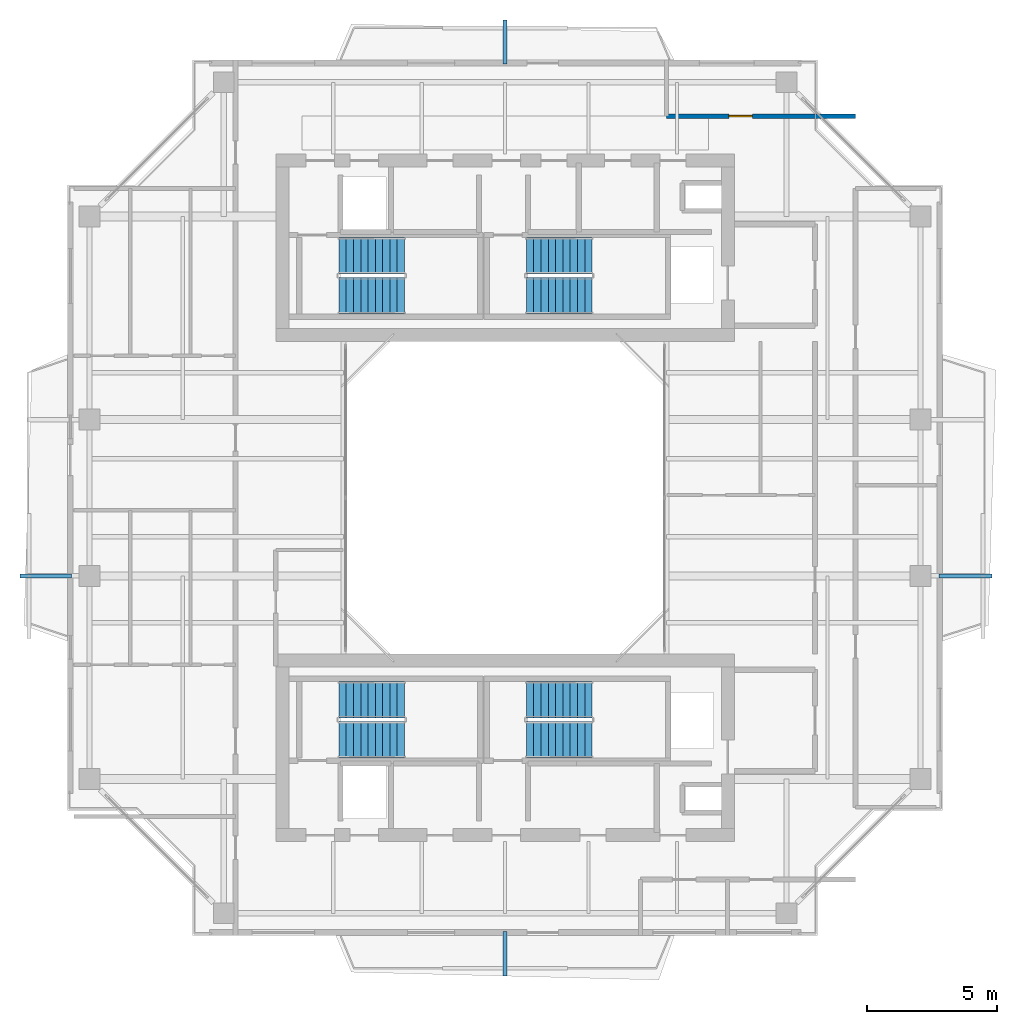
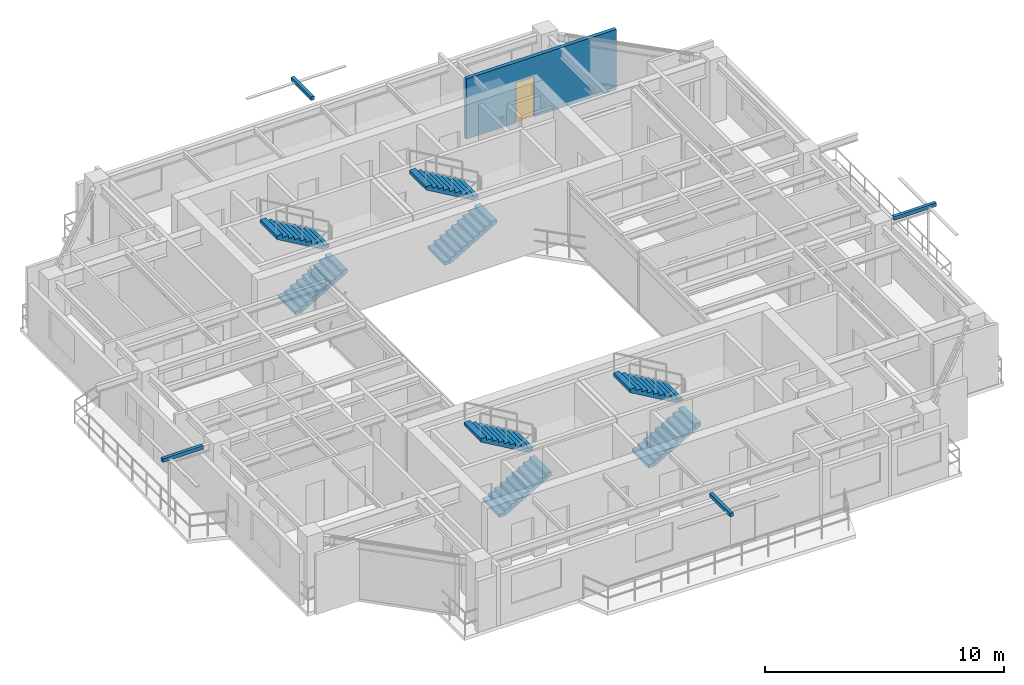
# One storey, part 13 of 16: 8 stair flights, 4 discrete accessories, 1 door, 1 wall, 1 opening, 4 elements without a shape of their own.
"""IFC4 building model written with IfcOpenShell, lengths in metres."""

from ifc_helpers import new_model, si_unit, direction, frame, frame_2d, origin, origin_2d, place, context, subcontext, project, spatial, polyline, rectangle, outline, extrude, source, transform, mapped, material, layer, layer_set, type_object, element, fill, aggregate, save


model = new_model("IFC4")

# Units and contexts
model_context = context("Model", 3, precision=1e-05, world=origin(), true_north=direction((0.0, 1.0)))
body_context = subcontext(model_context, "Body", "Model", "MODEL_VIEW")
ifc_project = project(units=[si_unit("LENGTHUNIT", "METRE"), si_unit("AREAUNIT", "SQUARE_METRE"), si_unit("VOLUMEUNIT", "CUBIC_METRE"), si_unit("PLANEANGLEUNIT", "RADIAN"), si_unit("MASSUNIT", "GRAM", prefix="KILO"), si_unit("THERMODYNAMICTEMPERATUREUNIT", "KELVIN"), si_unit("POWERUNIT", "WATT")], contexts=[model_context])

# Site, building, storey
site_placement = place(None, origin())
site = spatial("IfcSite", under=ifc_project, at=site_placement, CompositionType="ELEMENT")
building_placement = place(site_placement, origin())
building = spatial("IfcBuilding", under=site, at=building_placement, Name="Qiaomeng Ring Towers", CompositionType="ELEMENT")
storey_placement = place(building_placement, frame((0.0, 0.0, 197.0)))
storey = spatial("IfcBuildingStorey", under=building, at=storey_placement, Name="L57", CompositionType="ELEMENT", Elevation=197.0)

# Wall, opening, door
ifc_material_1 = material(Name="Autoclaved aerated concrete block", Category="concrete")
ifc_layer = layer(ifc_material_1, 0.179931640625, Name="Autoclaved aerated concrete block")
ifc_layer_set = layer_set([ifc_layer], Name="Autoclaved aerated concrete block")
wall_type = type_object("IfcWallType", Name="ARC-WL-PW2", PredefinedType="PARTITIONING", material=ifc_layer_set)
wall_placement = place(storey_placement, frame((25.199951171875, 37.64990234375, 0.0), z_axis=(0.0, 0.0, 1.0), x_axis=(1.0, 0.0, 0.0)))
wall = element("IfcWall", 1, at=wall_placement, inside=storey, type_object=wall_type, Name="L57 Interior Wall PW2", PredefinedType="PARTITIONING", context=body_context, shape_type="SweptSolid", body=[
    extrude(rectangle(XDim=7.25, YDim=0.179931640625, at=frame_2d((3.625, 0.0))), origin(), (0.0, 0.0, 1.0), 3.070068359375),
])
opening_placement = place(wall_placement, frame((2.389892578125, 0.0, 0.0)))
opening = element("IfcOpeningElement", 2, at=opening_placement, cuts=wall, Name="Opening ID1", PredefinedType="OPENING", context=body_context, shape_type="SweptSolid", body=[
    extrude(rectangle(XDim=0.89990234375, YDim=2.050048828125, at=frame_2d((0.449951171875, 1.02490234375))), frame((0.0, 0.099853515625, 0.0), z_axis=(0.0, -1.0, 0.0), x_axis=(1.0, 0.0, 0.0)), (0.0, 0.0, 1.0), 0.199951171875),
])
ifc_material_2 = material(Name="Engineered oak timber", Category="wood")
door_type = type_object("IfcDoorType", Name="ARC-DR-ID1", OperationType="NOTDEFINED", PredefinedType="DOOR", material=ifc_material_2)
shared_shape_1 = source(origin(), body_context, "Body", "SweptSolid", [
    extrude(rectangle(XDim=0.89990234375, YDim=2.050048828125, at=frame_2d((0.449951171875, 1.02490234375))), frame((0.0, 0.02490234375, 0.0), z_axis=(0.0, -1.0, 0.0), x_axis=(1.0, 0.0, 0.0)), (0.0, 0.0, 1.0), 0.050048828125),
])
door_placement = place(opening_placement, origin())
door = element("IfcDoor", 3, at=door_placement, inside=storey, type_object=door_type, Name="L57 Door ID1", OperationType="SINGLE_SWING_LEFT", OverallHeight=2.050048828125, OverallWidth=0.89990234375, PredefinedType="DOOR", context=body_context, shape_type="MappedRepresentation", body=[
    mapped(shared_shape_1, transform((0.0, 0.0, 0.0), x_axis=(1.0, 0.0, 0.0), y_axis=(0.0, 1.0, 0.0), z_axis=(0.0, 0.0, 1.0), scale=1.0)),
])
fill(opening, door)

# Stair, stair flights
ifc_material_3 = material(Name="Precast concrete C40", Category="concrete")
stair_type = type_object("IfcStairType", Name="ARC-ST-325", PredefinedType="HALF_TURN_STAIR", material=ifc_material_3)
stair_1_placement = place(storey_placement, origin())
stair_1 = element("IfcStair", 4, at=stair_1_placement, inside=storey, type_object=stair_type, Name="L57 Tower 1 North Stair 1", PredefinedType="HALF_TURN_STAIR")
stair_flight_type = type_object("IfcStairFlightType", Name="ARC-ST-325-FL", PredefinedType="STRAIGHT", material=ifc_material_3)
shared_shape_2 = source(origin(), body_context, "Body", "SweptSolid", [
    extrude(outline(polyline([(0.0, 0.0), (0.0, 0.16259765625), (0.280029296875, 0.16259765625), (0.280029296875, 0.324951171875), (0.56005859375, 0.324951171875), (0.56005859375, 0.487548828125), (0.840087890625, 0.487548828125), (0.840087890625, 0.64990234375), (1.1201171875, 0.64990234375), (1.1201171875, 0.8125), (1.39990234375, 0.8125), (1.39990234375, 0.97509765625), (1.679931640625, 0.97509765625), (1.679931640625, 1.137451171875), (1.9599609375, 1.137451171875), (1.9599609375, 1.300048828125), (2.239990234375, 1.300048828125), (2.239990234375, 1.46240234375), (2.52001953125, 1.46240234375), (2.52001953125, 1.625), (2.52001953125, 1.2890625), (0.298583984375, 0.0), (0.0, 0.0)])), frame((0.0, 0.699951171875, 0.0), z_axis=(0.0, -1.0, 0.0), x_axis=(1.0, 0.0, 0.0)), (0.0, 0.0, 1.0), 1.39990234375),
])
stair_flight_1_placement = place(storey_placement, frame((12.6201171875, 30.75, 0.0), z_axis=(0.0, 0.0, 1.0), x_axis=(1.0, 0.0, 0.0)))
stair_flight_1 = element("IfcStairFlight", 5, at=stair_flight_1_placement, type_object=stair_flight_type, Name="ST1 flight 1", NumberOfRisers=10, NumberOfTreads=9, PredefinedType="STRAIGHT", RiserHeight=0.1625, TreadLength=0.28, context=body_context, shape_type="MappedRepresentation", body=[
    mapped(shared_shape_2, transform((0.0, 0.0, 0.0), x_axis=(1.0, 0.0, 0.0), y_axis=(0.0, 1.0, 0.0), z_axis=(0.0, 0.0, 1.0), scale=1.0)),
])
stair_flight_2_placement = place(storey_placement, frame((15.139892578125, 32.2900390625, 1.625), z_axis=(0.0, 0.0, 1.0), x_axis=(-1.0, 0.0, 0.0)))
stair_flight_2 = element("IfcStairFlight", 6, at=stair_flight_2_placement, type_object=stair_flight_type, Name="ST1 flight 2", NumberOfRisers=10, NumberOfTreads=9, PredefinedType="STRAIGHT", RiserHeight=0.1625, TreadLength=0.28, context=body_context, shape_type="MappedRepresentation", body=[
    mapped(shared_shape_2, transform((0.0, 0.0, 0.0), x_axis=(1.0, 0.0, 0.0), y_axis=(0.0, 1.0, 0.0), z_axis=(0.0, 0.0, 1.0), scale=1.0)),
])
aggregate(stair_1, [stair_flight_1, stair_flight_2])

stair_2_placement = place(storey_placement, origin())
stair_2 = element("IfcStair", 7, at=stair_2_placement, inside=storey, type_object=stair_type, Name="L57 Tower 1 North Stair 2", PredefinedType="HALF_TURN_STAIR")
stair_flight_3_placement = place(storey_placement, frame((19.820068359375, 30.75, 0.0), z_axis=(0.0, 0.0, 1.0), x_axis=(1.0, 0.0, 0.0)))
stair_flight_3 = element("IfcStairFlight", 8, at=stair_flight_3_placement, type_object=stair_flight_type, Name="ST2 flight 1", NumberOfRisers=10, NumberOfTreads=9, PredefinedType="STRAIGHT", RiserHeight=0.1625, TreadLength=0.28, context=body_context, shape_type="MappedRepresentation", body=[
    mapped(shared_shape_2, transform((0.0, 0.0, 0.0), x_axis=(1.0, 0.0, 0.0), y_axis=(0.0, 1.0, 0.0), z_axis=(0.0, 0.0, 1.0), scale=1.0)),
])
stair_flight_4_placement = place(storey_placement, frame((22.340087890625, 32.2900390625, 1.625), z_axis=(0.0, 0.0, 1.0), x_axis=(-1.0, 0.0, 0.0)))
stair_flight_4 = element("IfcStairFlight", 9, at=stair_flight_4_placement, type_object=stair_flight_type, Name="ST2 flight 2", NumberOfRisers=10, NumberOfTreads=9, PredefinedType="STRAIGHT", RiserHeight=0.1625, TreadLength=0.28, context=body_context, shape_type="MappedRepresentation", body=[
    mapped(shared_shape_2, transform((0.0, 0.0, 0.0), x_axis=(1.0, 0.0, 0.0), y_axis=(0.0, 1.0, 0.0), z_axis=(0.0, 0.0, 1.0), scale=1.0)),
])
aggregate(stair_2, [stair_flight_3, stair_flight_4])

stair_3_placement = place(storey_placement, origin())
stair_3 = element("IfcStair", 10, at=stair_3_placement, inside=storey, type_object=stair_type, Name="L57 Tower 1 South Stair 3", PredefinedType="HALF_TURN_STAIR")
stair_flight_5_placement = place(storey_placement, frame((12.6201171875, 13.7099609375, 0.0), z_axis=(0.0, 0.0, 1.0), x_axis=(1.0, 0.0, 0.0)))
stair_flight_5 = element("IfcStairFlight", 11, at=stair_flight_5_placement, type_object=stair_flight_type, Name="ST3 flight 1", NumberOfRisers=10, NumberOfTreads=9, PredefinedType="STRAIGHT", RiserHeight=0.1625, TreadLength=0.28, context=body_context, shape_type="MappedRepresentation", body=[
    mapped(shared_shape_2, transform((0.0, 0.0, 0.0), x_axis=(1.0, 0.0, 0.0), y_axis=(0.0, 1.0, 0.0), z_axis=(0.0, 0.0, 1.0), scale=1.0)),
])
stair_flight_6_placement = place(storey_placement, frame((15.139892578125, 15.25, 1.625), z_axis=(0.0, 0.0, 1.0), x_axis=(-1.0, 0.0, 0.0)))
stair_flight_6 = element("IfcStairFlight", 12, at=stair_flight_6_placement, type_object=stair_flight_type, Name="ST3 flight 2", NumberOfRisers=10, NumberOfTreads=9, PredefinedType="STRAIGHT", RiserHeight=0.1625, TreadLength=0.28, context=body_context, shape_type="MappedRepresentation", body=[
    mapped(shared_shape_2, transform((0.0, 0.0, 0.0), x_axis=(1.0, 0.0, 0.0), y_axis=(0.0, 1.0, 0.0), z_axis=(0.0, 0.0, 1.0), scale=1.0)),
])
aggregate(stair_3, [stair_flight_5, stair_flight_6])

stair_4_placement = place(storey_placement, origin())
stair_4 = element("IfcStair", 13, at=stair_4_placement, inside=storey, type_object=stair_type, Name="L57 Tower 1 South Stair 4", PredefinedType="HALF_TURN_STAIR")
stair_flight_7_placement = place(storey_placement, frame((19.820068359375, 13.7099609375, 0.0), z_axis=(0.0, 0.0, 1.0), x_axis=(1.0, 0.0, 0.0)))
stair_flight_7 = element("IfcStairFlight", 14, at=stair_flight_7_placement, type_object=stair_flight_type, Name="ST4 flight 1", NumberOfRisers=10, NumberOfTreads=9, PredefinedType="STRAIGHT", RiserHeight=0.1625, TreadLength=0.28, context=body_context, shape_type="MappedRepresentation", body=[
    mapped(shared_shape_2, transform((0.0, 0.0, 0.0), x_axis=(1.0, 0.0, 0.0), y_axis=(0.0, 1.0, 0.0), z_axis=(0.0, 0.0, 1.0), scale=1.0)),
])
stair_flight_8_placement = place(storey_placement, frame((22.340087890625, 15.25, 1.625), z_axis=(0.0, 0.0, 1.0), x_axis=(-1.0, 0.0, 0.0)))
stair_flight_8 = element("IfcStairFlight", 15, at=stair_flight_8_placement, type_object=stair_flight_type, Name="ST4 flight 2", NumberOfRisers=10, NumberOfTreads=9, PredefinedType="STRAIGHT", RiserHeight=0.1625, TreadLength=0.28, context=body_context, shape_type="MappedRepresentation", body=[
    mapped(shared_shape_2, transform((0.0, 0.0, 0.0), x_axis=(1.0, 0.0, 0.0), y_axis=(0.0, 1.0, 0.0), z_axis=(0.0, 0.0, 1.0), scale=1.0)),
])
aggregate(stair_4, [stair_flight_7, stair_flight_8])

# Discrete accessories
ifc_material_4 = material(Name="Stainless steel 316", Category="steel")
discrete_accessory_type = type_object("IfcDiscreteAccessoryType", Name="ARC-ACC-BRACKET", PredefinedType="BRACKET", material=ifc_material_4)
shared_shape_3 = source(origin(), body_context, "Body", "SweptSolid", [
    extrude(rectangle(XDim=2.050048828125, YDim=0.159912109375, at=origin_2d()), origin(), (0.0, 0.0, 1.0), 0.179931640625),
])
discrete_accessory_1_placement = place(storey_placement, frame((36.675048828125, 20.0, 2.89990234375), z_axis=(0.0, 0.0, 1.0), x_axis=(1.0, 0.0, 0.0)))
element("IfcDiscreteAccessory", 16, at=discrete_accessory_1_placement, inside=storey, type_object=discrete_accessory_type, Name="L57 Stainless Outer-Skin Tie Bracket E", PredefinedType="BRACKET", context=body_context, shape_type="MappedRepresentation", body=[
    mapped(shared_shape_3, transform((0.0, 0.0, 0.0), x_axis=(1.0, 0.0, 0.0), y_axis=(0.0, 1.0, 0.0), z_axis=(0.0, 0.0, 1.0), scale=1.0)),
])
shared_shape_4 = source(origin(), body_context, "Body", "SweptSolid", [
    extrude(rectangle(XDim=0.159912109375, YDim=1.7099609375, at=origin_2d()), origin(), (0.0, 0.0, 1.0), 0.179931640625),
])
discrete_accessory_2_placement = place(storey_placement, frame((19.0, 5.4951171875, 2.89990234375), z_axis=(0.0, 0.0, 1.0), x_axis=(1.0, 0.0, 0.0)))
element("IfcDiscreteAccessory", 17, at=discrete_accessory_2_placement, inside=storey, type_object=discrete_accessory_type, Name="L57 Stainless Outer-Skin Tie Bracket S", PredefinedType="BRACKET", context=body_context, shape_type="MappedRepresentation", body=[
    mapped(shared_shape_4, transform((0.0, 0.0, 0.0), x_axis=(1.0, 0.0, 0.0), y_axis=(0.0, 1.0, 0.0), z_axis=(0.0, 0.0, 1.0), scale=1.0)),
])
shared_shape_5 = source(origin(), body_context, "Body", "SweptSolid", [
    extrude(rectangle(XDim=0.159912109375, YDim=1.68994140625, at=origin_2d()), origin(), (0.0, 0.0, 1.0), 0.179931640625),
])
discrete_accessory_3_placement = place(storey_placement, frame((19.0, 40.4951171875, 2.89990234375), z_axis=(0.0, 0.0, 1.0), x_axis=(1.0, 0.0, 0.0)))
element("IfcDiscreteAccessory", 18, at=discrete_accessory_3_placement, inside=storey, type_object=discrete_accessory_type, Name="L57 Stainless Outer-Skin Tie Bracket N", PredefinedType="BRACKET", context=body_context, shape_type="MappedRepresentation", body=[
    mapped(shared_shape_5, transform((0.0, 0.0, 0.0), x_axis=(1.0, 0.0, 0.0), y_axis=(0.0, 1.0, 0.0), z_axis=(0.0, 0.0, 1.0), scale=1.0)),
])
shared_shape_6 = source(origin(), body_context, "Body", "SweptSolid", [
    extrude(rectangle(XDim=1.969970703125, YDim=0.159912109375, at=origin_2d()), origin(), (0.0, 0.0, 1.0), 0.179931640625),
])
discrete_accessory_4_placement = place(storey_placement, frame((1.364990234375, 20.0, 2.89990234375), z_axis=(0.0, 0.0, 1.0), x_axis=(1.0, 0.0, 0.0)))
element("IfcDiscreteAccessory", 19, at=discrete_accessory_4_placement, inside=storey, type_object=discrete_accessory_type, Name="L57 Stainless Outer-Skin Tie Bracket W", PredefinedType="BRACKET", context=body_context, shape_type="MappedRepresentation", body=[
    mapped(shared_shape_6, transform((0.0, 0.0, 0.0), x_axis=(1.0, 0.0, 0.0), y_axis=(0.0, 1.0, 0.0), z_axis=(0.0, 0.0, 1.0), scale=1.0)),
])

save(model, "model.ifc")
